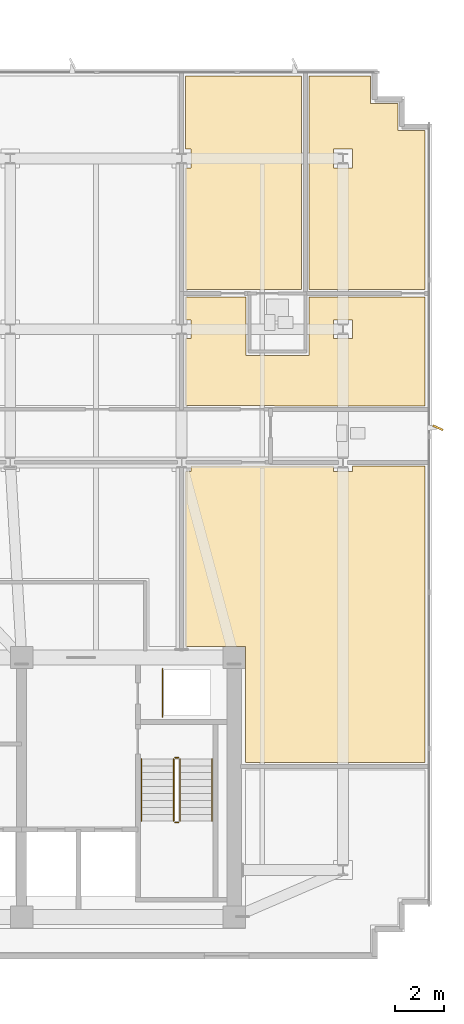
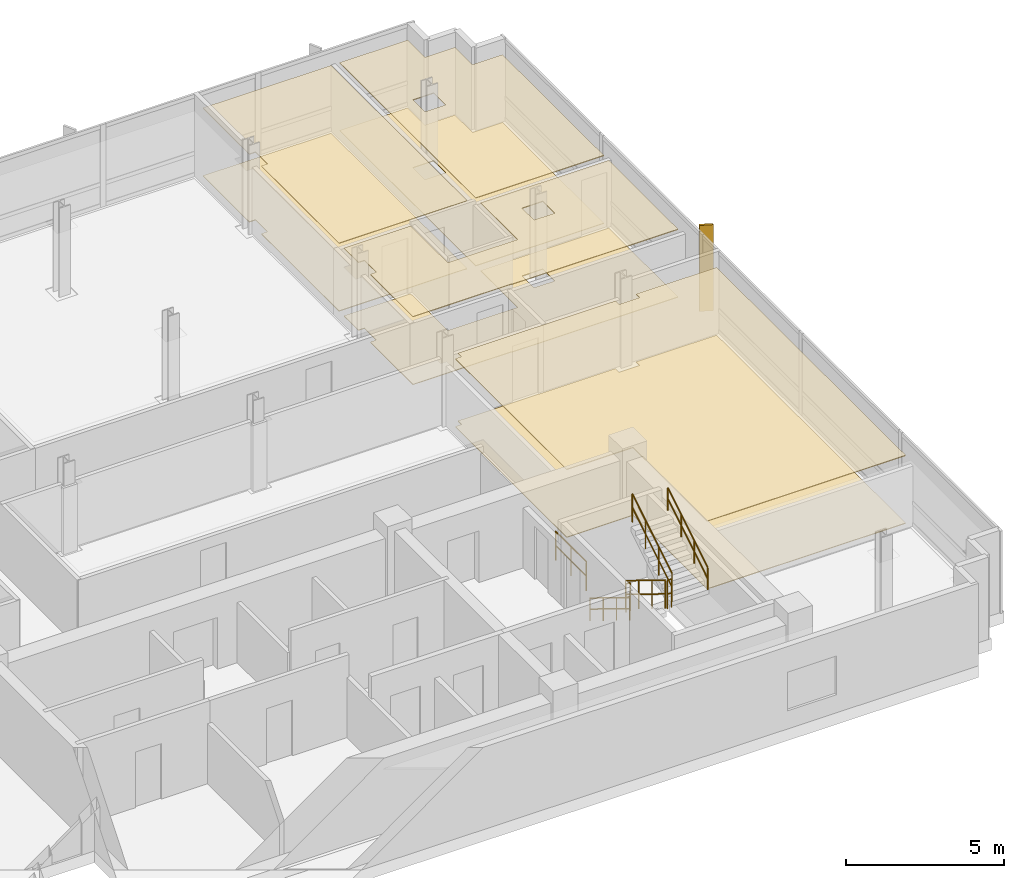
# One storey, part 14 of 16: 8 coverings, 7 railings, 1 shading device.
"""IFC4 building model written with IfcOpenShell, lengths in metres."""

import ifcopenshell
import ifcopenshell.guid

model = None  # the IFC model being written
_history = None  # IfcOwnerHistory: only IFC2X3 demands one
_inside = {}  # id of a spatial element -> (the spatial element, [elements in it])
_under = {}  # id of a project, library or spatial element -> (it, [spatial elements below it])
_declared = {}  # id of a project -> (the project, [libraries it declares])
_typed = {}  # id of a type object -> (the type object, [elements of that type])
_made_of = {}  # id of a material, layer set ... -> (it, [elements and type objects made of it])


def new_model(schema):
    """Start an empty IFC model of exactly this schema.

    Asked for "IFC4X3", IfcOpenShell would pick the latest addendum, in which some entities
    have other attributes; the version numbers below select the first issue.
    IFC2X3 requires an IfcOwnerHistory on every rooted entity: one is made here for all.
    """
    global model, _history
    if schema == "IFC4X3":
        model = ifcopenshell.file(schema_version=(4, 3, 0, 0))
    else:
        model = ifcopenshell.file(schema=schema)
    _inside.clear()
    _under.clear()
    _declared.clear()
    _typed.clear()
    _made_of.clear()
    _history = None
    if model.schema == "IFC2X3":
        org = make("IfcOrganization", Name="unknown")
        user = make(
            "IfcPersonAndOrganization",
            ThePerson=make("IfcPerson", FamilyName="unknown"),
            TheOrganization=org,
        )
        app = make(
            "IfcApplication",
            ApplicationDeveloper=org,
            Version="unknown",
            ApplicationFullName="unknown",
            ApplicationIdentifier="unknown",
        )
        _history = make(
            "IfcOwnerHistory",
            OwningUser=user,
            OwningApplication=app,
            ChangeAction="ADDED",
            CreationDate=0,
        )
    return model


def make(cls, **values):
    """One entity of the class cls with the attributes given. An attribute that is None is left unset."""
    return model.create_entity(
        cls, **{name: value for name, value in values.items() if value is not None}
    )


def rooted(cls, **values):
    """An entity with a GlobalId (a new one), such as an element, a storey or a relation."""
    return make(cls, GlobalId=ifcopenshell.guid.new(), OwnerHistory=_history, **values)


def si_unit(unit_type, name, prefix=None):
    """IfcSIUnit, for example si_unit("LENGTHUNIT", "METRE", prefix="MILLI")."""
    return make("IfcSIUnit", UnitType=unit_type, Prefix=prefix, Name=name)


def assignment(units):
    """IfcUnitAssignment: the units of a project."""
    return None if units is None else make("IfcUnitAssignment", Units=units)


def point(xyz):
    """IfcCartesianPoint."""
    return None if xyz is None else make("IfcCartesianPoint", Coordinates=xyz)


def direction(xyz):
    """IfcDirection."""
    return None if xyz is None else make("IfcDirection", DirectionRatios=xyz)


def frame(location, z_axis=None, x_axis=None):
    """IfcAxis2Placement3D, a coordinate frame: its origin and axes. An axis left out is left unset."""
    return make(
        "IfcAxis2Placement3D",
        Location=point(location),
        Axis=direction(z_axis),
        RefDirection=direction(x_axis),
    )


def frame_2d(location, x_axis=None):
    """IfcAxis2Placement2D, a coordinate frame in the plane: its origin and x axis."""
    return make(
        "IfcAxis2Placement2D", Location=point(location), RefDirection=direction(x_axis)
    )


def origin():
    """The frame at (0, 0, 0) with its axes left unset."""
    return frame((0.0, 0.0, 0.0))


def origin_2d():
    """The frame at (0, 0) in the plane with its x axis left unset."""
    return frame_2d((0.0, 0.0))


def place(relative_to, where):
    """IfcLocalPlacement: puts the frame where relative to a parent placement (None: the world)."""
    return make(
        "IfcLocalPlacement", PlacementRelTo=relative_to, RelativePlacement=where
    )


def context(
    kind, dimensions, precision=None, world=None, true_north=None, identifier=None
):
    """IfcGeometricRepresentationContext, for example the 3D "Model" context."""
    return make(
        "IfcGeometricRepresentationContext",
        ContextIdentifier=identifier,
        ContextType=kind,
        CoordinateSpaceDimension=dimensions,
        Precision=precision,
        WorldCoordinateSystem=world,
        TrueNorth=true_north,
    )


def subcontext(parent, identifier, kind, view, scale=None):
    """IfcGeometricRepresentationSubContext, for example "Body" below "Model"."""
    return make(
        "IfcGeometricRepresentationSubContext",
        ContextIdentifier=identifier,
        ContextType=kind,
        ParentContext=parent,
        TargetScale=scale,
        TargetView=view,
    )


def project(units=None, contexts=None):
    """IfcProject with its units and contexts."""
    return rooted(
        "IfcProject",
        Name="project",
        RepresentationContexts=contexts,
        UnitsInContext=assignment(units),
    )


def spatial(cls, under=None, at=None, **own):
    """A site, building, storey or space (cls), placed at a placement, below another one or the project."""
    s = rooted(cls, ObjectPlacement=at, **own)
    if under is not None:
        _under.setdefault(under.id(), (under, []))[1].append(s)
    return s


def polyline(points):
    """IfcPolyline through the points."""
    return make("IfcPolyline", Points=[point(p) for p in points])


def profile(cls, at=None, kind="AREA", **sizes):
    """A parametric profile (cls). Its sizes go by their IFC names, for example OverallWidth=200.0."""
    return make(cls, ProfileType=kind, Position=at, **sizes)


def rectangle(**sizes):
    """IfcRectangleProfileDef."""
    return profile("IfcRectangleProfileDef", **sizes)


def circle(**sizes):
    """IfcCircleProfileDef."""
    return profile("IfcCircleProfileDef", **sizes)


def outline(outer, holes=None, kind="AREA"):
    """IfcArbitraryClosedProfileDef: a profile drawn as a closed curve; with holes, ...WithVoids."""
    if holes is None:
        return make("IfcArbitraryClosedProfileDef", ProfileType=kind, OuterCurve=outer)
    return make(
        "IfcArbitraryProfileDefWithVoids",
        ProfileType=kind,
        OuterCurve=outer,
        InnerCurves=holes,
    )


def extrude(swept, where, along, depth):
    """IfcExtrudedAreaSolid: the profile swept, set in the frame where, extruded along a direction by depth."""
    return make(
        "IfcExtrudedAreaSolid",
        SweptArea=swept,
        Position=where,
        ExtrudedDirection=direction(along),
        Depth=depth,
    )


def shape(context_of_items, identifier, shape_type, items):
    """IfcShapeRepresentation: the items that make up one representation, for example the "Body"."""
    return make(
        "IfcShapeRepresentation",
        ContextOfItems=context_of_items,
        RepresentationIdentifier=identifier,
        RepresentationType=shape_type,
        Items=items,
    )


def material(Name=None, Category=None):
    """IfcMaterial."""
    return make("IfcMaterial", Name=Name, Category=Category)


def layer(
    of_material, thickness, ventilated=None, Name=None, Category=None, Priority=None
):
    """IfcMaterialLayer: one layer of a wall or slab, of a material (None: an air gap)."""
    return make(
        "IfcMaterialLayer",
        Material=of_material,
        LayerThickness=thickness,
        IsVentilated=ventilated,
        Name=Name,
        Category=Category,
        Priority=Priority,
    )


def layer_set(layers, Name=None):
    """IfcMaterialLayerSet."""
    return make("IfcMaterialLayerSet", MaterialLayers=layers, LayerSetName=Name)


def made_of(thing, what):
    """Note that an element or type object is made of a material, layer set ...; save() writes the relation."""
    if what is not None:
        _made_of.setdefault(what.id(), (what, []))[1].append(thing)
    return thing


def type_object(cls, material=None, **own):
    """A type object (cls), such as IfcWallType, which elements share."""
    return made_of(rooted(cls, **own), material)


def element(
    cls,
    number,
    at=None,
    inside=None,
    cuts=None,
    type_object=None,
    material=None,
    context=None,
    identifier="Body",
    shape_type=None,
    held_by="IfcProductDefinitionShape",
    body=None,
    shapes=None,
    **own,
):
    """One element of the class cls, such as IfcWall. Its Tag is "e" and its number.

    at: its placement. inside: the storey or other place that contains it. cuts: it is an
    opening in that element (IfcRelVoidsElement). A single representation is given by context,
    identifier, shape_type and body (its items); several are given by shapes. held_by: the class
    of the entity that holds the representations. save() writes the other relations.
    """
    e = rooted(cls, Tag="e%d" % number, ObjectPlacement=at, **own)
    if body is not None:
        shapes = [shape(context, identifier, shape_type, body)]
    if shapes is not None:
        e.Representation = make(held_by, Representations=shapes)
    if inside is not None:
        _inside.setdefault(inside.id(), (inside, []))[1].append(e)
    if cuts is not None:
        rooted(
            "IfcRelVoidsElement", RelatingBuildingElement=cuts, RelatedOpeningElement=e
        )
    if type_object is not None:
        _typed.setdefault(type_object.id(), (type_object, []))[1].append(e)
    return made_of(e, material)


def aggregate(whole, parts):
    """IfcRelAggregates: a whole, such as a stair, and the parts it consists of."""
    return rooted("IfcRelAggregates", RelatingObject=whole, RelatedObjects=parts)


def save(model, path):
    """Write the relations noted so far, then the file.

    IfcRelAggregates (storeys below a building ...), IfcRelContainedInSpatialStructure (elements
    in a storey), IfcRelDefinesByType, IfcRelAssociatesMaterial and IfcRelDeclares: one each for
    every whole, place, type object, material and project.
    """
    for whole, parts in _under.values():
        aggregate(whole, parts)
    for where, things in _inside.values():
        rooted(
            "IfcRelContainedInSpatialStructure",
            RelatedElements=things,
            RelatingStructure=where,
        )
    for kind, things in _typed.values():
        rooted("IfcRelDefinesByType", RelatedObjects=things, RelatingType=kind)
    for what, things in _made_of.values():
        rooted("IfcRelAssociatesMaterial", RelatedObjects=things, RelatingMaterial=what)
    for by, libraries in _declared.values():
        rooted("IfcRelDeclares", RelatingContext=by, RelatedDefinitions=libraries)
    model.write(path)


model = new_model("IFC4")

# Units and contexts
model_context = context("Model", 3, precision=1e-05, world=origin(), true_north=direction((0.0, 1.0)))
body_context = subcontext(model_context, "Body", "Model", "MODEL_VIEW")
ifc_project = project(units=[si_unit("LENGTHUNIT", "METRE"), si_unit("AREAUNIT", "SQUARE_METRE"), si_unit("VOLUMEUNIT", "CUBIC_METRE"), si_unit("PLANEANGLEUNIT", "RADIAN"), si_unit("MASSUNIT", "GRAM", prefix="KILO")], contexts=[model_context])

# Site, building, storey
site_placement = place(None, origin())
site = spatial("IfcSite", under=ifc_project, at=site_placement, CompositionType="ELEMENT")
building_placement = place(site_placement, origin())
building = spatial("IfcBuilding", under=site, at=building_placement, Name="Solmavex Isthmus Hotel", CompositionType="ELEMENT")
storey_placement = place(building_placement, frame((0.0, 0.0, 245.39990234375)))
storey = spatial("IfcBuildingStorey", under=building, at=storey_placement, Name="L66", CompositionType="ELEMENT", Elevation=245.39990234375)

# Coverings
ifc_material_1 = material(Name="Gypsum plasterboard lining", Category="gypsum")
ifc_layer_1 = layer(ifc_material_1, 0.030029296875)
ifc_layer_set_1 = layer_set([ifc_layer_1], Name="Gypsum plasterboard lining")
covering_type_1 = type_object("IfcCoveringType", Name="COV-CEIL-GYP", PredefinedType="CEILING", material=ifc_layer_set_1)
covering_1_placement = place(storey_placement, frame((0.0, 0.0, 2.6201171875)))
element("IfcCovering", 1, at=covering_1_placement, inside=storey, type_object=covering_type_1, Name="Suspended Acoustic Ceiling L66-SH05-LV", PredefinedType="CEILING", context=body_context, shape_type="SweptSolid", body=[
    extrude(outline(polyline([(14.027099609375, 11.16796875), (14.251953125, 11.16796875), (14.251953125, 10.407958984375), (14.027099609375, 10.407958984375), (14.027099609375, 7.705078125), (17.626953125, 7.705078125), (17.626953125, 7.68505859375), (23.72509765625, 7.68505859375), (23.72509765625, 12.0830078125), (19.031005859375, 12.0830078125), (19.031005859375, 9.73291015625), (16.470947265625, 9.73291015625), (16.470947265625, 12.0830078125), (14.027099609375, 12.0830078125), (14.027099609375, 11.16796875)]), holes=[polyline([(20.02001953125, 10.407958984375), (20.02001953125, 11.16796875), (20.780029296875, 11.16796875), (20.780029296875, 10.407958984375), (20.02001953125, 10.407958984375)])]), origin(), (0.0, 0.0, 1.0), 0.030029296875),
])
covering_2_placement = place(storey_placement, frame((0.0, 0.0, 2.6201171875)))
element("IfcCovering", 2, at=covering_2_placement, inside=storey, type_object=covering_type_1, Name="Suspended Acoustic Ceiling L66-HB05", PredefinedType="CEILING", context=body_context, shape_type="SweptSolid", body=[
    extrude(outline(polyline([(14.027099609375, 18.080078125), (14.251953125, 18.080078125), (14.251953125, 17.320068359375), (14.027099609375, 17.320068359375), (14.027099609375, 12.39306640625), (18.720947265625, 12.39306640625), (18.720947265625, 21.02490234375), (14.027099609375, 21.02490234375), (14.027099609375, 18.080078125)])), origin(), (0.0, 0.0, 1.0), 0.030029296875),
])
covering_3_placement = place(storey_placement, frame((0.0, 0.0, 2.6201171875)))
element("IfcCovering", 3, at=covering_3_placement, inside=storey, type_object=covering_type_1, Name="Suspended Acoustic Ceiling L66-HP05", PredefinedType="CEILING", context=body_context, shape_type="SweptSolid", body=[
    extrude(outline(polyline([(21.52490234375, 19.925048828125), (21.52490234375, 21.02490234375), (19.031005859375, 21.02490234375), (19.031005859375, 12.39306640625), (23.72509765625, 12.39306640625), (23.72509765625, 18.824951171875), (22.625, 18.824951171875), (22.625, 19.925048828125), (21.52490234375, 19.925048828125)]), holes=[polyline([(20.02001953125, 17.320068359375), (20.02001953125, 18.080078125), (20.780029296875, 18.080078125), (20.780029296875, 17.320068359375), (20.02001953125, 17.320068359375)])]), origin(), (0.0, 0.0, 1.0), 0.030029296875),
])
covering_4_placement = place(storey_placement, frame((0.0, 0.0, 2.6201171875)))
element("IfcCovering", 4, at=covering_4_placement, inside=storey, type_object=covering_type_1, Name="Suspended Acoustic Ceiling L66-FL15", PredefinedType="CEILING", context=body_context, shape_type="SweptSolid", body=[
    extrude(outline(polyline([(14.251953125, 5.2451171875), (14.251953125, 5.02001953125), (14.027099609375, 5.02001953125), (14.027099609375, -2.044921875), (16.455078125, -2.044921875), (16.455078125, -6.7451171875), (23.72509765625, -6.7451171875), (23.72509765625, 5.2451171875), (20.780029296875, 5.2451171875), (20.780029296875, 5.02001953125), (20.02001953125, 5.02001953125), (20.02001953125, 5.2451171875), (14.251953125, 5.2451171875)])), origin(), (0.0, 0.0, 1.0), 0.030029296875),
])
ifc_material_2 = material(Name="Travertine natural stone", Category="masonry")
ifc_layer_2 = layer(ifc_material_2, 0.02490234375)
ifc_layer_set_2 = layer_set([ifc_layer_2], Name="Travertine natural stone")
covering_type_2 = type_object("IfcCoveringType", Name="COV-FLOR-STN", PredefinedType="FLOORING", material=ifc_layer_set_2)
covering_5_placement = place(storey_placement, origin())
element("IfcCovering", 5, at=covering_5_placement, inside=storey, type_object=covering_type_2, Name="Stone and Timber Floor Finish L66-SH05-LV", PredefinedType="FLOORING", context=body_context, shape_type="SweptSolid", body=[
    extrude(outline(polyline([(14.027099609375, 11.16796875), (14.251953125, 11.16796875), (14.251953125, 10.407958984375), (14.027099609375, 10.407958984375), (14.027099609375, 7.705078125), (17.626953125, 7.705078125), (17.626953125, 7.68505859375), (23.72509765625, 7.68505859375), (23.72509765625, 12.0830078125), (19.031005859375, 12.0830078125), (19.031005859375, 9.73291015625), (16.470947265625, 9.73291015625), (16.470947265625, 12.0830078125), (14.027099609375, 12.0830078125), (14.027099609375, 11.16796875)]), holes=[polyline([(20.02001953125, 10.407958984375), (20.02001953125, 11.16796875), (20.780029296875, 11.16796875), (20.780029296875, 10.407958984375), (20.02001953125, 10.407958984375)])]), origin(), (0.0, 0.0, 1.0), 0.025146484375),
])
covering_6_placement = place(storey_placement, origin())
element("IfcCovering", 6, at=covering_6_placement, inside=storey, type_object=covering_type_2, Name="Stone and Timber Floor Finish L66-HB05", PredefinedType="FLOORING", context=body_context, shape_type="SweptSolid", body=[
    extrude(outline(polyline([(14.027099609375, 18.080078125), (14.251953125, 18.080078125), (14.251953125, 17.320068359375), (14.027099609375, 17.320068359375), (14.027099609375, 12.39306640625), (18.720947265625, 12.39306640625), (18.720947265625, 21.02490234375), (14.027099609375, 21.02490234375), (14.027099609375, 18.080078125)])), origin(), (0.0, 0.0, 1.0), 0.025146484375),
])
covering_7_placement = place(storey_placement, origin())
element("IfcCovering", 7, at=covering_7_placement, inside=storey, type_object=covering_type_2, Name="Stone and Timber Floor Finish L66-HP05", PredefinedType="FLOORING", context=body_context, shape_type="SweptSolid", body=[
    extrude(outline(polyline([(21.52490234375, 19.925048828125), (21.52490234375, 21.02490234375), (19.031005859375, 21.02490234375), (19.031005859375, 12.39306640625), (23.72509765625, 12.39306640625), (23.72509765625, 18.824951171875), (22.625, 18.824951171875), (22.625, 19.925048828125), (21.52490234375, 19.925048828125)]), holes=[polyline([(20.02001953125, 17.320068359375), (20.02001953125, 18.080078125), (20.780029296875, 18.080078125), (20.780029296875, 17.320068359375), (20.02001953125, 17.320068359375)])]), origin(), (0.0, 0.0, 1.0), 0.025146484375),
])
covering_8_placement = place(storey_placement, origin())
element("IfcCovering", 8, at=covering_8_placement, inside=storey, type_object=covering_type_2, Name="Stone and Timber Floor Finish L66-FL15", PredefinedType="FLOORING", context=body_context, shape_type="SweptSolid", body=[
    extrude(outline(polyline([(14.251953125, 5.2451171875), (14.251953125, 5.02001953125), (14.027099609375, 5.02001953125), (14.027099609375, -2.044921875), (16.455078125, -2.044921875), (16.455078125, -6.7451171875), (23.72509765625, -6.7451171875), (23.72509765625, 5.2451171875), (20.780029296875, 5.2451171875), (20.780029296875, 5.02001953125), (20.02001953125, 5.02001953125), (20.02001953125, 5.2451171875), (14.251953125, 5.2451171875)])), origin(), (0.0, 0.0, 1.0), 0.025146484375),
])

# Railings
ifc_material_3 = material(Name="Clear low-E laminated glass", Category="glass")
ifc_layer_3 = layer(ifc_material_3, 0.080078125)
ifc_layer_set_3 = layer_set([ifc_layer_3], Name="Clear low-E laminated glass")
railing_type_1 = type_object("IfcRailingType", Name="RAIL-ATRIUM-1120", PredefinedType="BALUSTRADE", material=ifc_layer_set_3)
railing_1_placement = place(storey_placement, frame((13.10009765625, -4.89990234375, 0.0)))
element("IfcRailing", 9, at=railing_1_placement, inside=storey, type_object=railing_type_1, Name="Guardrail Balustrade L66-RSE-01", PredefinedType="BALUSTRADE", context=body_context, shape_type="SweptSolid", body=[
    extrude(circle(Radius=0.02392578125, at=origin_2d()), frame((0.0, 0.0, 1.1259765625), z_axis=(0.0, 1.0, 0.0), x_axis=(-1.0, 0.0, 0.0)), (0.0, 0.0, 1.0), 1.949951171875),
    extrude(circle(Radius=0.02392578125, at=origin_2d()), frame((0.0, 0.0, 0.574951171875), z_axis=(0.0, 1.0, 0.0), x_axis=(-1.0, 0.0, 0.0)), (0.0, 0.0, 1.0), 1.949951171875),
    extrude(circle(Radius=0.02099609375, at=origin_2d()), origin(), (0.0, 0.0, 1.0), 1.101806640625),
    extrude(circle(Radius=0.02099609375, at=origin_2d()), frame((0.0, 0.97509765625, 0.0)), (0.0, 0.0, 1.0), 1.101806640625),
    extrude(circle(Radius=0.02099609375, at=origin_2d()), frame((0.0, 1.949951171875, 0.0)), (0.0, 0.0, 1.0), 1.101806640625),
])
ifc_material_4 = material(Name="Stainless steel 316", Category="steel")
ifc_layer_4 = layer(ifc_material_4, 0.06005859375)
ifc_layer_set_4 = layer_set([ifc_layer_4], Name="Stainless steel 316")
railing_type_2 = type_object("IfcRailingType", Name="RAIL-STAIR-GD", PredefinedType="GUARDRAIL", material=ifc_layer_set_4)
railing_2_placement = place(storey_placement, frame((13.550048828125, -6.60009765625, 0.172607421875)))
element("IfcRailing", 10, at=railing_2_placement, inside=storey, type_object=railing_type_2, Name="L66 ST-2 stair guard 1", PredefinedType="GUARDRAIL", context=body_context, shape_type="SweptSolid", body=[
    extrude(circle(Radius=0.02392578125, at=origin_2d()), frame((0.0, 0.0, 1.09619140625), z_axis=(0.0, -0.851400495292, 0.524516154772), x_axis=(1.0, 0.0, 0.0)), (0.0, 0.0, 1.0), 2.9599609375),
    extrude(circle(Radius=0.02392578125, at=origin_2d()), frame((0.0, 0.0, 0.56005859375), z_axis=(0.0, -0.851400495292, 0.524516154772), x_axis=(1.0, 0.0, 0.0)), (0.0, 0.0, 1.0), 2.9599609375),
    extrude(circle(Radius=0.02099609375, at=origin_2d()), origin(), (0.0, 0.0, 1.0), 1.072021484375),
    extrude(circle(Radius=0.02099609375, at=origin_2d()), frame((0.0, -0.840087890625, 0.517578125)), (0.0, 0.0, 1.0), 1.072021484375),
    extrude(circle(Radius=0.02099609375, at=origin_2d()), frame((0.0, -1.679931640625, 1.034912109375)), (0.0, 0.0, 1.0), 1.072021484375),
    extrude(circle(Radius=0.02099609375, at=origin_2d()), frame((0.0, -2.52001953125, 1.552490234375)), (0.0, 0.0, 1.0), 1.072021484375),
])
railing_3_placement = place(storey_placement, frame((13.60009765625, -9.169921875, 1.72509765625)))
element("IfcRailing", 11, at=railing_3_placement, inside=storey, type_object=railing_type_2, Name="L66 ST-2 stair guard 2", PredefinedType="GUARDRAIL", context=body_context, shape_type="SweptSolid", body=[
    extrude(circle(Radius=0.02392578125, at=origin_2d()), frame((0.0, 0.0, 1.09619140625), z_axis=(1.0, 0.0, 0.0), x_axis=(0.0, 1.0, 0.0)), (0.0, 0.0, 1.0), 0.14990234375),
    extrude(circle(Radius=0.02392578125, at=origin_2d()), frame((0.0, 0.0, 0.56005859375), z_axis=(1.0, 0.0, 0.0), x_axis=(0.0, 1.0, 0.0)), (0.0, 0.0, 1.0), 0.14990234375),
    extrude(circle(Radius=0.02099609375, at=origin_2d()), origin(), (0.0, 0.0, 1.0), 1.072021484375),
    extrude(circle(Radius=0.02099609375, at=origin_2d()), frame((0.14990234375, 0.0, 0.0)), (0.0, 0.0, 1.0), 1.072021484375),
])
railing_4_placement = place(storey_placement, frame((13.800048828125, -9.1201171875, 1.897705078125)))
element("IfcRailing", 12, at=railing_4_placement, inside=storey, type_object=railing_type_2, Name="L66 ST-2 stair guard 3", PredefinedType="GUARDRAIL", context=body_context, shape_type="SweptSolid", body=[
    extrude(circle(Radius=0.02392578125, at=origin_2d()), frame((0.0, 0.0, 1.09619140625), z_axis=(0.0, 0.851400495292, 0.524516154772), x_axis=(-1.0, 0.0, 0.0)), (0.0, 0.0, 1.0), 2.9599609375),
    extrude(circle(Radius=0.02392578125, at=origin_2d()), frame((0.0, 0.0, 0.56005859375), z_axis=(0.0, 0.851400495292, 0.524516154772), x_axis=(-1.0, 0.0, 0.0)), (0.0, 0.0, 1.0), 2.9599609375),
    extrude(circle(Radius=0.02099609375, at=origin_2d()), origin(), (0.0, 0.0, 1.0), 1.072021484375),
    extrude(circle(Radius=0.02099609375, at=origin_2d()), frame((0.0, 0.840087890625, 0.517578125)), (0.0, 0.0, 1.0), 1.072021484375),
    extrude(circle(Radius=0.02099609375, at=origin_2d()), frame((0.0, 1.679931640625, 1.034912109375)), (0.0, 0.0, 1.0), 1.072021484375),
    extrude(circle(Radius=0.02099609375, at=origin_2d()), frame((0.0, 2.52001953125, 1.552490234375)), (0.0, 0.0, 1.0), 1.072021484375),
])
railing_5_placement = place(storey_placement, frame((13.60009765625, -6.550048828125, 0.0)))
element("IfcRailing", 13, at=railing_5_placement, inside=storey, type_object=railing_type_2, Name="L66 ST-2 stair guard 4", PredefinedType="GUARDRAIL", context=body_context, shape_type="SweptSolid", body=[
    extrude(circle(Radius=0.02392578125, at=origin_2d()), frame((0.0, 0.0, 1.09619140625), z_axis=(1.0, 0.0, 0.0), x_axis=(0.0, 1.0, 0.0)), (0.0, 0.0, 1.0), 0.14990234375),
    extrude(circle(Radius=0.02392578125, at=origin_2d()), frame((0.0, 0.0, 0.56005859375), z_axis=(1.0, 0.0, 0.0), x_axis=(0.0, 1.0, 0.0)), (0.0, 0.0, 1.0), 0.14990234375),
    extrude(circle(Radius=0.02099609375, at=origin_2d()), origin(), (0.0, 0.0, 1.0), 1.072021484375),
    extrude(circle(Radius=0.02099609375, at=origin_2d()), frame((0.14990234375, 0.0, 0.0)), (0.0, 0.0, 1.0), 1.072021484375),
])
ifc_layer_5 = layer(ifc_material_4, 0.050048828125)
ifc_layer_set_5 = layer_set([ifc_layer_5], Name="Stainless steel 316")
railing_type_3 = type_object("IfcRailingType", Name="RAIL-STAIR-HR", PredefinedType="HANDRAIL", material=ifc_layer_set_5)
railing_6_placement = place(storey_placement, frame((12.25, -6.60009765625, 0.172607421875)))
element("IfcRailing", 14, at=railing_6_placement, inside=storey, type_object=railing_type_3, Name="L66 ST-2 stair handrail 1", PredefinedType="HANDRAIL", context=body_context, shape_type="SweptSolid", body=[
    extrude(circle(Radius=0.02392578125, at=origin_2d()), frame((0.0, 0.0, 0.8759765625), z_axis=(0.0, -0.851400495292, 0.524516154772), x_axis=(1.0, 0.0, 0.0)), (0.0, 0.0, 1.0), 2.9599609375),
    extrude(circle(Radius=0.02392578125, at=origin_2d()), frame((0.0, 0.0, 0.449951171875), z_axis=(0.0, -0.851400495292, 0.524516154772), x_axis=(1.0, 0.0, 0.0)), (0.0, 0.0, 1.0), 2.9599609375),
    extrude(circle(Radius=0.02099609375, at=origin_2d()), origin(), (0.0, 0.0, 1.0), 0.851806640625),
    extrude(circle(Radius=0.02099609375, at=origin_2d()), frame((0.0, -0.840087890625, 0.517578125)), (0.0, 0.0, 1.0), 0.851806640625),
    extrude(circle(Radius=0.02099609375, at=origin_2d()), frame((0.0, -1.679931640625, 1.034912109375)), (0.0, 0.0, 1.0), 0.851806640625),
    extrude(circle(Radius=0.02099609375, at=origin_2d()), frame((0.0, -2.52001953125, 1.552490234375)), (0.0, 0.0, 1.0), 0.851806640625),
])
railing_7_placement = place(storey_placement, frame((15.10009765625, -9.1201171875, 1.897705078125)))
element("IfcRailing", 15, at=railing_7_placement, inside=storey, type_object=railing_type_3, Name="L66 ST-2 stair handrail 2", PredefinedType="HANDRAIL", context=body_context, shape_type="SweptSolid", body=[
    extrude(circle(Radius=0.02392578125, at=origin_2d()), frame((0.0, 0.0, 0.8759765625), z_axis=(0.0, 0.851400495292, 0.524516154772), x_axis=(-1.0, 0.0, 0.0)), (0.0, 0.0, 1.0), 2.9599609375),
    extrude(circle(Radius=0.02392578125, at=origin_2d()), frame((0.0, 0.0, 0.449951171875), z_axis=(0.0, 0.851400495292, 0.524516154772), x_axis=(-1.0, 0.0, 0.0)), (0.0, 0.0, 1.0), 2.9599609375),
    extrude(circle(Radius=0.02099609375, at=origin_2d()), origin(), (0.0, 0.0, 1.0), 0.851806640625),
    extrude(circle(Radius=0.02099609375, at=origin_2d()), frame((0.0, 0.840087890625, 0.517578125)), (0.0, 0.0, 1.0), 0.851806640625),
    extrude(circle(Radius=0.02099609375, at=origin_2d()), frame((0.0, 1.679931640625, 1.034912109375)), (0.0, 0.0, 1.0), 0.851806640625),
    extrude(circle(Radius=0.02099609375, at=origin_2d()), frame((0.0, 2.52001953125, 1.552490234375)), (0.0, 0.0, 1.0), 0.851806640625),
])

# Shading device
ifc_material_5 = material(Name="Aluminium alloy 6063-T6", Category="aluminium")
shading_device_type = type_object("IfcShadingDeviceType", Name="SHD-FIN-BRONZE", PredefinedType="USERDEFINED", material=ifc_material_5)
shading_device_placement = place(storey_placement, frame((24.239990234375, 6.800048828125, -0.139892578125), z_axis=(0.0, 0.0, 1.0), x_axis=(0.913545457643, -0.406736643076, 0.0)))
element("IfcShadingDevice", 16, at=shading_device_placement, inside=storey, type_object=shading_device_type, Name="Anodised Aluminium Solar Fin L66-E1", ObjectType="SOLAR_FIN", PredefinedType="USERDEFINED", context=body_context, shape_type="SweptSolid", body=[
    extrude(rectangle(XDim=0.449951171875, YDim=0.080078125, at=origin_2d()), origin(), (0.0, 0.0, 1.0), 3.330078125),
])

save(model, "model.ifc")
